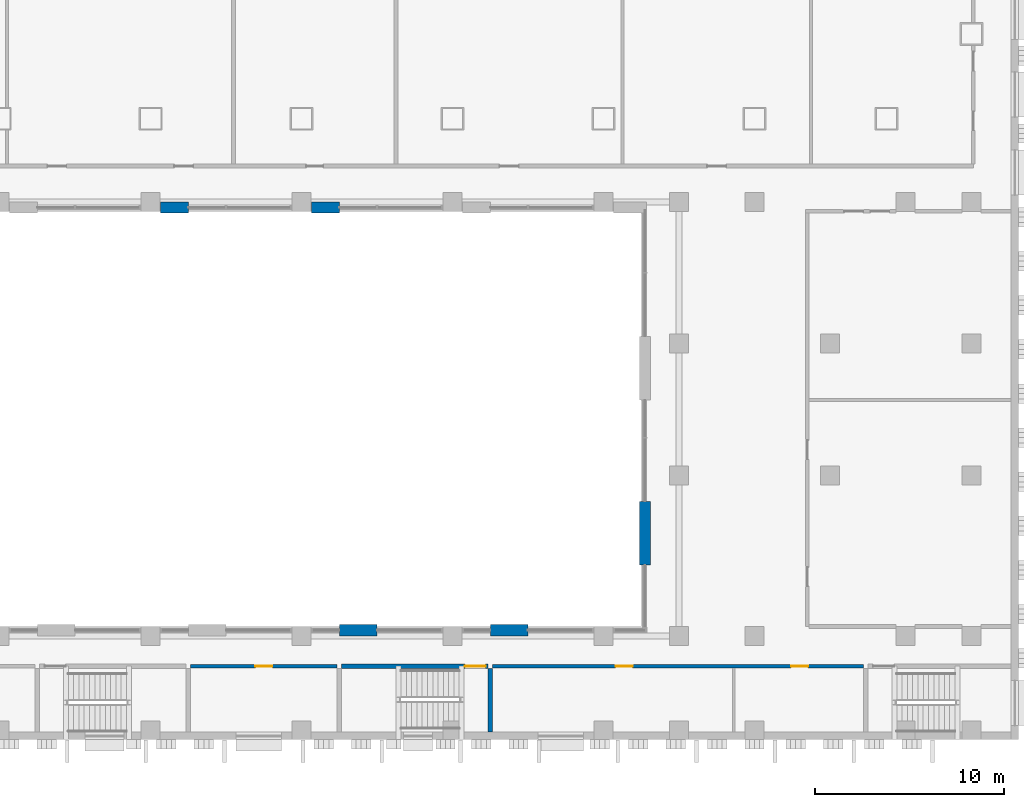
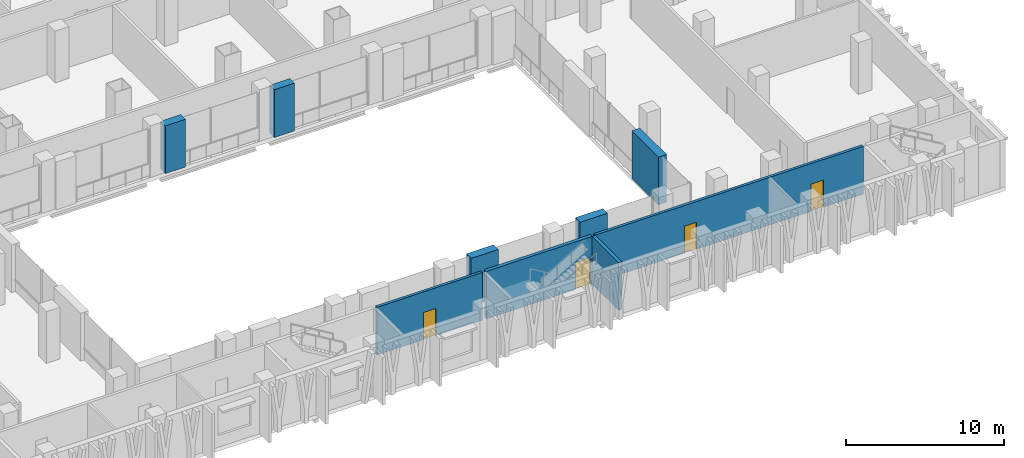
# One storey, part 9 of 25: 9 walls, 4 doors, 4 openings.
"""IFC4 building model written with IfcOpenShell, lengths in metres."""

from ifc_helpers import new_model, si_unit, direction, frame, frame_2d, origin, place, context, subcontext, project, spatial, rectangle, extrude, material, layer, layer_set, type_object, element, fill, save


model = new_model("IFC4")

# Units and contexts
model_context = context("Model", 3, precision=1e-05, world=origin(), true_north=direction((0.0, 1.0)))
body_context = subcontext(model_context, "Body", "Model", "MODEL_VIEW")
ifc_project = project(units=[si_unit("LENGTHUNIT", "METRE"), si_unit("AREAUNIT", "SQUARE_METRE"), si_unit("VOLUMEUNIT", "CUBIC_METRE"), si_unit("PLANEANGLEUNIT", "RADIAN"), si_unit("MASSUNIT", "GRAM", prefix="KILO")], contexts=[model_context])

# Site, building, storey
site_placement = place(None, origin())
site = spatial("IfcSite", under=ifc_project, at=site_placement, CompositionType="ELEMENT")
building_placement = place(site_placement, origin())
building = spatial("IfcBuilding", under=site, at=building_placement, Name="Vidyagriha Tower", CompositionType="ELEMENT")
storey_placement = place(building_placement, frame((0.0, 0.0, 14.0)))
storey = spatial("IfcBuildingStorey", under=building, at=storey_placement, Name="L03", CompositionType="ELEMENT", Elevation=14.0)

# Walls
ifc_material_1 = material(Name="Precast concrete C40/50 with brick facing", Category="concrete")
ifc_layer_1 = layer(ifc_material_1, 0.60009765625)
ifc_layer_set_1 = layer_set([ifc_layer_1], Name="Precast concrete C40/50 with brick facing")
wall_type_1 = type_object("IfcWallType", Name="Brick-faced precast wall 600", PredefinedType="STANDARD", material=ifc_layer_set_1)
for number, where, z_axis, x_axis, name in (
    (1, (14.0, -44.199951171875, 0.0), (0.0, 0.0, 1.0), (-1.0, 0.0, 0.0), "Brick door bay wall L03 R07.4"),
    (2, (6.0, -44.199951171875, 0.0), (0.0, 0.0, 1.0), (-1.0, 0.0, 0.0), "Brick door bay wall L03 R07.8"),
):
    element("IfcWall", number, at=place(storey_placement, frame(where, z_axis=z_axis, x_axis=x_axis)), inside=storey, type_object=wall_type_1, Name=name, PredefinedType="STANDARD", context=body_context, shape_type="SweptSolid", body=[
        extrude(rectangle(XDim=2.0, YDim=0.60009765625, at=frame_2d((1.0, 0.0))), origin(), (0.0, 0.0, 1.0), 3.699951171875),
    ])
for number, where, name in (
    (3, (-5.469970703125, -21.800048828125, 0.0), "Brick door bay wall L03 R09.8"),
    (4, (2.530029296875, -21.800048828125, 0.0), "Brick door bay wall L03 R09.12"),
):
    element("IfcWall", number, at=place(storey_placement, frame(where)), inside=storey, type_object=wall_type_1, Name=name, PredefinedType="STANDARD", context=body_context, shape_type="SweptSolid", body=[
        extrude(rectangle(XDim=1.469970703125, YDim=0.60009765625, at=frame_2d((0.73486328125, 0.0))), origin(), (0.0, 0.0, 1.0), 3.699951171875),
    ])
wall_1_placement = place(storey_placement, frame((20.199951171875, -37.373291015625, 0.0), z_axis=(0.0, 0.0, 1.0), x_axis=(0.0, -1.0, 0.0)))
element("IfcWall", 5, at=wall_1_placement, inside=storey, type_object=wall_type_1, Name="Brick door bay wall L03 R10.6", PredefinedType="STANDARD", context=body_context, shape_type="SweptSolid", body=[
    extrude(rectangle(XDim=3.373291015625, YDim=0.60009765625, at=frame_2d((1.6865234375, 0.0))), origin(), (0.0, 0.0, 1.0), 3.699951171875),
])

# Wall, opening, door
ifc_material_2 = material(Name="Concrete C32/40", Category="concrete")
ifc_layer_2 = layer(ifc_material_2, 0.25)
ifc_layer_set_2 = layer_set([ifc_layer_2], Name="Concrete C32/40")
wall_type_2 = type_object("IfcWallType", Name="Concrete Stair Enclosure Wall 250", PredefinedType="SOLIDWALL", material=ifc_layer_set_2)
wall_2_placement = place(storey_placement, frame((4.125, -46.10009765625, 0.0)))
wall_2 = element("IfcWall", 6, at=wall_2_placement, inside=storey, type_object=wall_type_2, Name="L03 Concrete Stair Enclosure Wall 250 005", PredefinedType="SOLIDWALL", context=body_context, shape_type="SweptSolid", body=[
    extrude(rectangle(XDim=7.75, YDim=0.25, at=frame_2d((3.875, 0.0))), origin(), (0.0, 0.0, 1.0), 3.699951171875),
])
opening_1_placement = place(wall_2_placement, frame((6.530029296875, 0.0, 0.0)))
opening_1 = element("IfcOpeningElement", 7, at=opening_1_placement, cuts=wall_2, Name="Opening D03-67", PredefinedType="OPENING", context=body_context, shape_type="SweptSolid", body=[
    extrude(rectangle(XDim=1.10009765625, YDim=2.10009765625, at=frame_2d((0.550048828125, 1.050048828125))), frame((0.0, 0.135009765625, 0.0), z_axis=(0.0, -1.0, 0.0), x_axis=(1.0, 0.0, 0.0)), (0.0, 0.0, 1.0), 0.27001953125),
])
ifc_material_3 = material(Name="Steel fire door set", Category="steel")
door_type_1 = type_object("IfcDoorType", Name="Podium Door 1100x2100 EI 90", OperationType="NOTDEFINED", PredefinedType="DOOR", material=ifc_material_3)
door_1_placement = place(opening_1_placement, origin())
door_1 = element("IfcDoor", 8, at=door_1_placement, inside=storey, type_object=door_type_1, Name="L03 door D03-67", OperationType="SINGLE_SWING_RIGHT", OverallHeight=2.10009765625, OverallWidth=1.10009765625, PredefinedType="DOOR", context=body_context, shape_type="SweptSolid", body=[
    extrude(rectangle(XDim=1.10009765625, YDim=2.10009765625, at=frame_2d((0.550048828125, 1.050048828125))), frame((0.0, 0.02490234375, 0.0), z_axis=(0.0, -1.0, 0.0), x_axis=(1.0, 0.0, 0.0)), (0.0, 0.0, 1.0), 0.050048828125),
])
fill(opening_1, door_1)

# Wall
wall_3_placement = place(storey_placement, frame((12.0, -49.60009765625, 0.0), z_axis=(0.0, 0.0, 1.0), x_axis=(0.0, 1.0, 0.0)))
element("IfcWall", 9, at=wall_3_placement, inside=storey, type_object=wall_type_2, Name="L03 Concrete Stair Enclosure Wall 250 065", PredefinedType="SOLIDWALL", context=body_context, shape_type="SweptSolid", body=[
    extrude(rectangle(XDim=3.375, YDim=0.25, at=frame_2d((1.6875, 0.0))), origin(), (0.0, 0.0, 1.0), 3.699951171875),
])

# Wall, opening, door
ifc_material_4 = material(Name="Fire rated gypsum board on light gauge framing")
ifc_layer_3 = layer(ifc_material_4, 0.199951171875)
ifc_layer_set_3 = layer_set([ifc_layer_3], Name="Fire rated gypsum board on light gauge framing")
wall_type_3 = type_object("IfcWallType", Name="Fire Rated Corridor Wall 200", PredefinedType="PARTITIONING", material=ifc_layer_set_3)
wall_4_placement = place(storey_placement, frame((-3.875, -46.10009765625, 0.0)))
wall_4 = element("IfcWall", 10, at=wall_4_placement, inside=storey, type_object=wall_type_3, Name="L03 Fire Rated Corridor Wall 200 001", PredefinedType="PARTITIONING", context=body_context, shape_type="SweptSolid", body=[
    extrude(rectangle(XDim=7.75, YDim=0.199951171875, at=frame_2d((3.875, 0.0))), origin(), (0.0, 0.0, 1.0), 3.699951171875),
])
opening_2_placement = place(wall_4_placement, frame((3.425048828125, 0.0, 0.0)))
opening_2 = element("IfcOpeningElement", 11, at=opening_2_placement, cuts=wall_4, Name="Opening D03-25", PredefinedType="OPENING", context=body_context, shape_type="SweptSolid", body=[
    extrude(rectangle(XDim=0.89990234375, YDim=2.10009765625, at=frame_2d((0.449951171875, 1.050048828125))), frame((0.0, 0.10986328125, 0.0), z_axis=(0.0, -1.0, 0.0), x_axis=(1.0, 0.0, 0.0)), (0.0, 0.0, 1.0), 0.219970703125),
])
ifc_material_5 = material(Name="Steel fire door set", Category="steel")
door_type_2 = type_object("IfcDoorType", Name="Podium Door 900x2100 EI 30", OperationType="NOTDEFINED", PredefinedType="DOOR", material=ifc_material_5)
door_2_placement = place(opening_2_placement, frame((0.89990234375, 0.0, 0.0), z_axis=(0.0, 0.0, 1.0), x_axis=(-1.0, 0.0, 0.0)))
door_2 = element("IfcDoor", 12, at=door_2_placement, inside=storey, type_object=door_type_2, Name="L03 door D03-25", OperationType="SINGLE_SWING_LEFT", OverallHeight=2.10009765625, OverallWidth=0.89990234375, PredefinedType="DOOR", context=body_context, shape_type="SweptSolid", body=[
    extrude(rectangle(XDim=0.89990234375, YDim=2.10009765625, at=frame_2d((0.449951171875, 1.050048828125))), frame((0.0, 0.02490234375, 0.0), z_axis=(0.0, -1.0, 0.0), x_axis=(1.0, 0.0, 0.0)), (0.0, 0.0, 1.0), 0.050048828125),
])
fill(opening_2, door_2)

# Wall, openings, doors
wall_5_placement = place(storey_placement, frame((12.125, -46.10009765625, 0.0)))
wall_5 = element("IfcWall", 13, at=wall_5_placement, inside=storey, type_object=wall_type_3, Name="L03 Fire Rated Corridor Wall 200 002", PredefinedType="PARTITIONING", context=body_context, shape_type="SweptSolid", body=[
    extrude(rectangle(XDim=19.64990234375, YDim=0.199951171875, at=frame_2d((9.824951171875, 0.0))), origin(), (0.0, 0.0, 1.0), 3.699951171875),
])
opening_3_placement = place(wall_5_placement, frame((6.52490234375, 0.0, 0.0)))
opening_3 = element("IfcOpeningElement", 14, at=opening_3_placement, cuts=wall_5, Name="Opening D03-26", PredefinedType="OPENING", context=body_context, shape_type="SweptSolid", body=[
    extrude(rectangle(XDim=0.89990234375, YDim=2.10009765625, at=frame_2d((0.449951171875, 1.050048828125))), frame((0.0, 0.10986328125, 0.0), z_axis=(0.0, -1.0, 0.0), x_axis=(1.0, 0.0, 0.0)), (0.0, 0.0, 1.0), 0.219970703125),
])
opening_4_placement = place(wall_5_placement, frame((15.824951171875, 0.0, 0.0)))
opening_4 = element("IfcOpeningElement", 15, at=opening_4_placement, cuts=wall_5, Name="Opening D03-27", PredefinedType="OPENING", context=body_context, shape_type="SweptSolid", body=[
    extrude(rectangle(XDim=0.89990234375, YDim=2.10009765625, at=frame_2d((0.449951171875, 1.050048828125))), frame((0.0, 0.10986328125, 0.0), z_axis=(0.0, -1.0, 0.0), x_axis=(1.0, 0.0, 0.0)), (0.0, 0.0, 1.0), 0.219970703125),
])
door_3_placement = place(opening_3_placement, frame((0.89990234375, 0.0, 0.0), z_axis=(0.0, 0.0, 1.0), x_axis=(-1.0, 0.0, 0.0)))
door_3 = element("IfcDoor", 16, at=door_3_placement, inside=storey, type_object=door_type_2, Name="L03 door D03-26", OperationType="SINGLE_SWING_LEFT", OverallHeight=2.10009765625, OverallWidth=0.89990234375, PredefinedType="DOOR", context=body_context, shape_type="SweptSolid", body=[
    extrude(rectangle(XDim=0.89990234375, YDim=2.10009765625, at=frame_2d((0.449951171875, 1.050048828125))), frame((0.0, 0.02490234375, 0.0), z_axis=(0.0, -1.0, 0.0), x_axis=(1.0, 0.0, 0.0)), (0.0, 0.0, 1.0), 0.050048828125),
])
fill(opening_3, door_3)
door_4_placement = place(opening_4_placement, frame((0.89990234375, 0.0, 0.0), z_axis=(0.0, 0.0, 1.0), x_axis=(-1.0, 0.0, 0.0)))
door_4 = element("IfcDoor", 17, at=door_4_placement, inside=storey, type_object=door_type_2, Name="L03 door D03-27", OperationType="SINGLE_SWING_RIGHT", OverallHeight=2.10009765625, OverallWidth=0.89990234375, PredefinedType="DOOR", context=body_context, shape_type="SweptSolid", body=[
    extrude(rectangle(XDim=0.89990234375, YDim=2.10009765625, at=frame_2d((0.449951171875, 1.050048828125))), frame((0.0, 0.02490234375, 0.0), z_axis=(0.0, -1.0, 0.0), x_axis=(1.0, 0.0, 0.0)), (0.0, 0.0, 1.0), 0.050048828125),
])
fill(opening_4, door_4)

save(model, "model.ifc")
